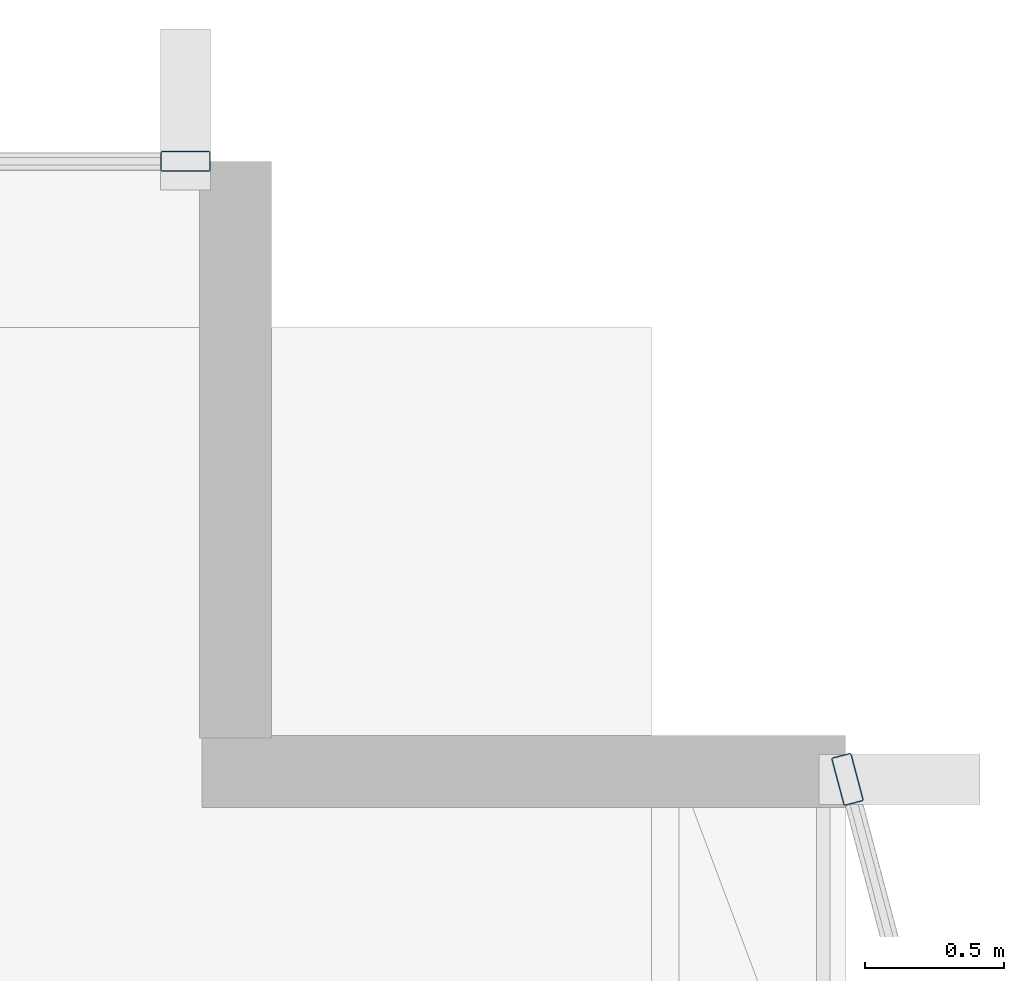
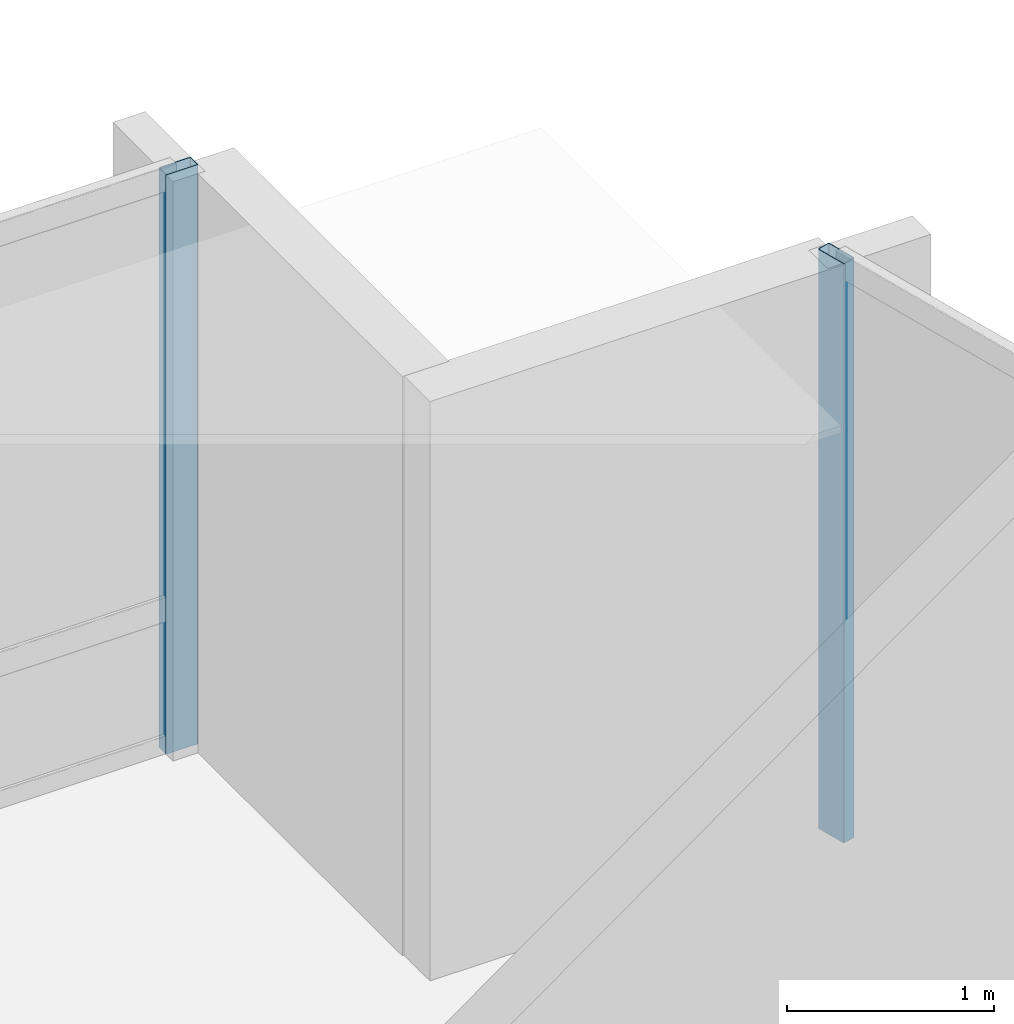
# One storey, part 14 of 28: 2 members, 2 elements without a shape of their own.
"""IFC4 building model written with IfcOpenShell, lengths in metres."""

from ifc_helpers import new_model, si_unit, direction, frame, origin, origin_2d, place, context, subcontext, project, spatial, hollow_rectangle, extrude, material, layer, layer_set, material_profile, profile_set, type_object, element, aggregate, save


model = new_model("IFC4")

# Units and contexts
model_context = context("Model", 3, precision=1e-05, world=origin(), true_north=direction((0.0, 1.0)))
body_context = subcontext(model_context, "Body", "Model", "MODEL_VIEW")
ifc_project = project(units=[si_unit("LENGTHUNIT", "METRE"), si_unit("AREAUNIT", "SQUARE_METRE"), si_unit("VOLUMEUNIT", "CUBIC_METRE"), si_unit("PLANEANGLEUNIT", "RADIAN"), si_unit("MASSUNIT", "GRAM", prefix="KILO")], contexts=[model_context])

# Site, building, storey
site_placement = place(None, origin())
site = spatial("IfcSite", under=ifc_project, at=site_placement, CompositionType="ELEMENT")
building_placement = place(site_placement, origin())
building = spatial("IfcBuilding", under=site, at=building_placement, Name="Solvaryn Broadcast Tower", CompositionType="ELEMENT")
storey_placement = place(building_placement, frame((0.0, 0.0, 213.60009765625)))
storey = spatial("IfcBuildingStorey", under=building, at=storey_placement, Name="L53", CompositionType="ELEMENT", Elevation=213.60009765625)

# Curtain wall, member
ifc_material_1 = material(Name="Aluminium and Terracotta Unitised Curtain Wall", Category="masonry")
ifc_layer = layer(ifc_material_1, 0.199951171875)
ifc_layer_set = layer_set([ifc_layer], Name="CW-SYS2-LOWMID")
curtain_wall_type = type_object("IfcCurtainWallType", Name="CW-SYS2-LOWMID", PredefinedType="NOTDEFINED", material=ifc_layer_set)
curtain_wall_1_placement = place(storey_placement, origin())
curtain_wall_1 = element("IfcCurtainWall", 1, at=curtain_wall_1_placement, inside=storey, type_object=curtain_wall_type, Name="L53 Curtain Wall ET1", PredefinedType="NOTDEFINED")
ifc_material_2 = material(Name="Anodised Aluminium 6063-T6", Category="aluminium")
ifc_material_profile = material_profile(ifc_material_2, hollow_rectangle(XDim=0.074951171875, YDim=0.179931640625, WallThickness=0.00390625, InnerFilletRadius=0.00390625, OuterFilletRadius=0.008056640625, at=origin_2d()))
ifc_profile_set = profile_set([ifc_material_profile], Name="Anodised Aluminium 6063-T6")
member_type = type_object("IfcMemberType", Name="CW-MUL-180", PredefinedType="MULLION", material=ifc_profile_set)
member_1_placement = place(storey_placement, frame((54.007568359375, 24.77099609375, 0.0), z_axis=(0.0, 0.0, 1.0), x_axis=(0.966705227863, 0.25589256031, 0.0)))
member_1 = element("IfcMember", 2, at=member_1_placement, type_object=member_type, Name="CWS2 mullion 1", PredefinedType="MULLION", context=body_context, shape_type="SweptSolid", body=[
    extrude(hollow_rectangle(XDim=0.074951171875, YDim=0.179931640625, WallThickness=0.00390625, InnerFilletRadius=0.00390625, OuterFilletRadius=0.008056640625, at=origin_2d()), origin(), (0.0, 0.0, 1.0), 3.419921875),
])
aggregate(curtain_wall_1, [member_1])

curtain_wall_2_placement = place(storey_placement, origin())
curtain_wall_2 = element("IfcCurtainWall", 3, at=curtain_wall_2_placement, inside=storey, type_object=curtain_wall_type, Name="L53 Curtain Wall IH", PredefinedType="NOTDEFINED")
member_2_placement = place(storey_placement, frame((51.6201171875, 27.0, 0.0), z_axis=(0.0, 0.0, 1.0), x_axis=(0.0, 1.0, 0.0)))
member_2 = element("IfcMember", 4, at=member_2_placement, type_object=member_type, Name="CWS2 mullion 2", PredefinedType="MULLION", context=body_context, shape_type="SweptSolid", body=[
    extrude(hollow_rectangle(XDim=0.074951171875, YDim=0.179931640625, WallThickness=0.00390625, InnerFilletRadius=0.00390625, OuterFilletRadius=0.008056640625, at=origin_2d()), origin(), (0.0, 0.0, 1.0), 3.419921875),
])
aggregate(curtain_wall_2, [member_2])

save(model, "model.ifc")
